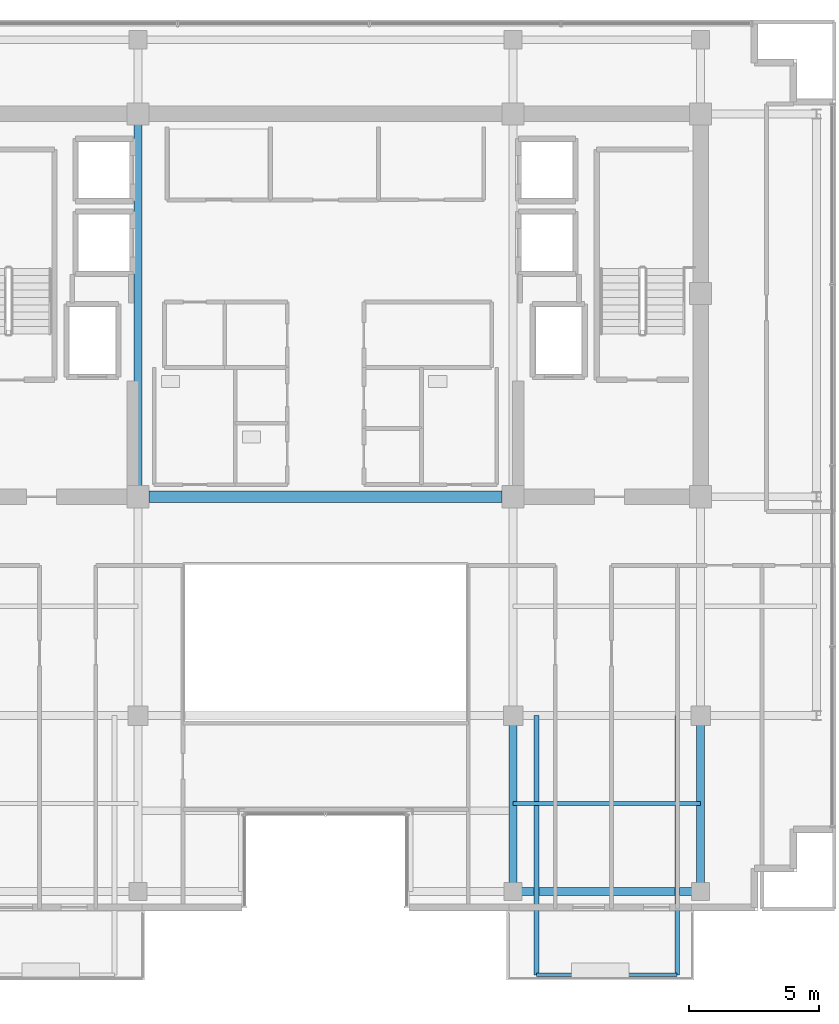
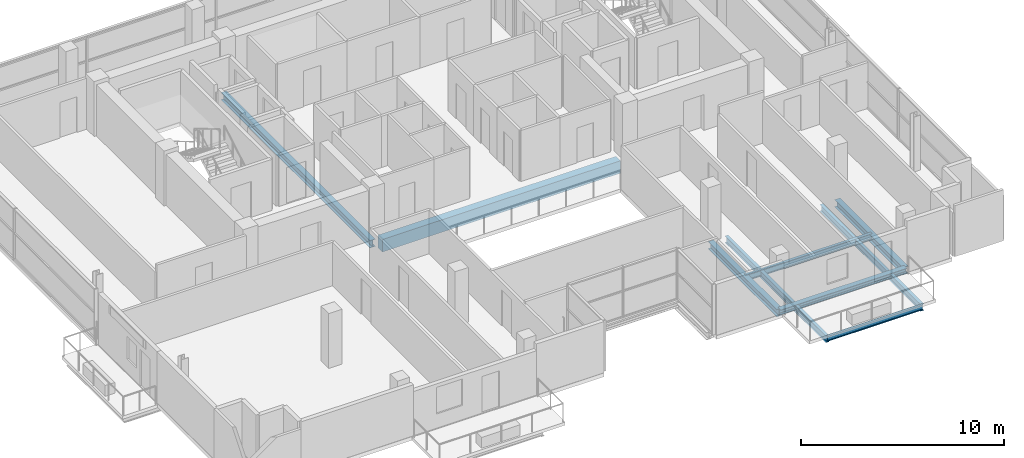
# One storey, part 7 of 22: 9 beams.
"""IFC4 building model written with IfcOpenShell, lengths in metres."""

from ifc_helpers import new_model, si_unit, direction, frame, origin, origin_2d, place, context, subcontext, project, spatial, rectangle, i_section, extrude, material, material_profile, profile_set, type_object, element, save


model = new_model("IFC4")

# Units and contexts
model_context = context("Model", 3, precision=1e-05, world=origin(), true_north=direction((0.0, 1.0)))
body_context = subcontext(model_context, "Body", "Model", "MODEL_VIEW")
ifc_project = project(units=[si_unit("LENGTHUNIT", "METRE"), si_unit("AREAUNIT", "SQUARE_METRE"), si_unit("VOLUMEUNIT", "CUBIC_METRE"), si_unit("PLANEANGLEUNIT", "RADIAN"), si_unit("MASSUNIT", "GRAM", prefix="KILO")], contexts=[model_context])

# Site, building, storey
site_placement = place(None, origin())
site = spatial("IfcSite", under=ifc_project, at=site_placement, CompositionType="ELEMENT")
building_placement = place(site_placement, origin())
building = spatial("IfcBuilding", under=site, at=building_placement, Name="Zarnakvel Exchange Tower", CompositionType="ELEMENT")
storey_placement = place(building_placement, frame((0.0, 0.0, 222.10009765625)))
storey = spatial("IfcBuildingStorey", under=building, at=storey_placement, Name="L62", CompositionType="ELEMENT", Elevation=222.10009765625)

# Beams
ifc_material_1 = material(Name="Steel S355", Category="steel")
ifc_material_profile_1 = material_profile(ifc_material_1, i_section(OverallWidth=0.179931640625, OverallDepth=0.39990234375, WebThickness=0.008544921875, FlangeThickness=0.013427734375, FilletRadius=0.02099609375, at=origin_2d()))
ifc_profile_set_1 = profile_set([ifc_material_profile_1], Name="Steel S355")
beam_type_1 = type_object("IfcBeamType", Name="B-06", PredefinedType="JOIST", material=ifc_profile_set_1)
for number, where, z_axis, x_axis, name in (
    (1, (8.10009765625, -9.60009765625, -0.425048828125), (0.0, -1.0, 0.0), (1.0, 0.0, 0.0), "L62 Continuous Back-Spanned Balcony Beam W"),
    (2, (13.5, -9.60009765625, -0.425048828125), (0.0, -1.0, 0.0), (1.0, 0.0, 0.0), "L62 Continuous Back-Spanned Balcony Beam E"),
):
    element("IfcBeam", number, at=place(storey_placement, frame(where, z_axis=z_axis, x_axis=x_axis)), inside=storey, type_object=beam_type_1, Name=name, PredefinedType="JOIST", context=body_context, shape_type="SweptSolid", body=[
        extrude(i_section(OverallWidth=0.179931640625, OverallDepth=0.39990234375, WebThickness=0.008544921875, FlangeThickness=0.013427734375, FilletRadius=0.02099609375, at=origin_2d()), origin(), (0.0, 0.0, 1.0), 9.949951171875),
    ])
ifc_material_profile_2 = material_profile(ifc_material_1, i_section(OverallWidth=0.169921875, OverallDepth=0.360107421875, WebThickness=0.008056640625, FlangeThickness=0.0126953125, FilletRadius=0.01806640625, at=origin_2d()))
ifc_profile_set_2 = profile_set([ifc_material_profile_2], Name="Steel S355")
beam_type_2 = type_object("IfcBeamType", Name="B-07", PredefinedType="JOIST", material=ifc_profile_set_2)
beam_1_placement = place(storey_placement, frame((7.199951171875, -12.97509765625, -0.405029296875), z_axis=(1.0, 0.0, 0.0), x_axis=(0.0, 1.0, 0.0)))
element("IfcBeam", 3, at=beam_1_placement, inside=storey, type_object=beam_type_2, Name="L62 Composite Floor Secondary Joist", PredefinedType="JOIST", context=body_context, shape_type="SweptSolid", body=[
    extrude(i_section(OverallWidth=0.169921875, OverallDepth=0.360107421875, WebThickness=0.008056640625, FlangeThickness=0.0126953125, FilletRadius=0.01806640625, at=origin_2d()), origin(), (0.0, 0.0, 1.0), 7.199951171875),
])
ifc_material_profile_3 = material_profile(ifc_material_1, i_section(OverallWidth=0.14990234375, OverallDepth=0.300048828125, WebThickness=0.007080078125, FlangeThickness=0.0107421875, FilletRadius=0.014892578125, at=origin_2d()))
ifc_profile_set_3 = profile_set([ifc_material_profile_3], Name="Steel S355")
beam_type_3 = type_object("IfcBeamType", Name="B-08", PredefinedType="JOIST", material=ifc_profile_set_3)
beam_2_placement = place(storey_placement, frame((8.10009765625, -19.550048828125, -0.375), z_axis=(1.0, 0.0, 0.0), x_axis=(0.0, 1.0, 0.0)))
element("IfcBeam", 4, at=beam_2_placement, inside=storey, type_object=beam_type_3, Name="L62 Balcony Edge Beam", PredefinedType="JOIST", context=body_context, shape_type="SweptSolid", body=[
    extrude(i_section(OverallWidth=0.14990234375, OverallDepth=0.300048828125, WebThickness=0.007080078125, FlangeThickness=0.0107421875, FilletRadius=0.014892578125, at=origin_2d()), origin(), (0.0, 0.0, 1.0), 5.39990234375),
])
ifc_material_2 = material(Name="Concrete C50/60", Category="concrete")
ifc_material_profile_4 = material_profile(ifc_material_2, rectangle(XDim=0.449951171875, YDim=0.75, at=origin_2d()))
ifc_profile_set_4 = profile_set([ifc_material_profile_4], Name="Concrete C50/60")
beam_type_4 = type_object("IfcBeamType", Name="CB-03", PredefinedType="LINTEL", material=ifc_profile_set_4)
beam_3_placement = place(storey_placement, frame((-6.77490234375, -1.199951171875, -0.60009765625), z_axis=(1.0, 0.0, 0.0), x_axis=(0.0, 1.0, 0.0)))
element("IfcBeam", 5, at=beam_3_placement, inside=storey, type_object=beam_type_4, Name="L62 Rear Core South Coupling Beam (CB-03)", PredefinedType="LINTEL", context=body_context, shape_type="SweptSolid", body=[
    extrude(rectangle(XDim=0.449951171875, YDim=0.75, at=origin_2d()), origin(), (0.0, 0.0, 1.0), 13.5498046875),
])
ifc_material_profile_5 = material_profile(ifc_material_1, i_section(OverallWidth=0.300048828125, OverallDepth=0.449951171875, WebThickness=0.013916015625, FlangeThickness=0.02587890625, FilletRadius=0.027099609375, at=origin_2d()))
ifc_profile_set_5 = profile_set([ifc_material_profile_5], Name="Steel S355")
beam_type_5 = type_object("IfcBeamType", Name="G-07", PredefinedType="BEAM", material=ifc_profile_set_5)
beam_4_placement = place(storey_placement, frame((-7.199951171875, -1.199951171875, -0.4501953125), z_axis=(0.0, 1.0, 0.0), x_axis=(-1.0, 0.0, 0.0)))
element("IfcBeam", 6, at=beam_4_placement, inside=storey, type_object=beam_type_5, Name="L62 Tower N-S Frame Beam", PredefinedType="BEAM", context=body_context, shape_type="SweptSolid", body=[
    extrude(i_section(OverallWidth=0.300048828125, OverallDepth=0.449951171875, WebThickness=0.013916015625, FlangeThickness=0.02587890625, FilletRadius=0.027099609375, at=origin_2d()), origin(), (0.0, 0.0, 1.0), 14.699951171875),
])
for number, where, z_axis, x_axis, name in (
    (7, (7.199951171875, -16.35009765625, -0.4501953125), (0.0, 1.0, 0.0), (-1.0, 0.0, 0.0), "L62 Tower N-S Frame Beam"),
    (8, (14.39990234375, -16.35009765625, -0.4501953125), (0.0, 1.0, 0.0), (-1.0, 0.0, 0.0), "L62 Tower N-S Frame Beam"),
):
    element("IfcBeam", number, at=place(storey_placement, frame(where, z_axis=z_axis, x_axis=x_axis)), inside=storey, type_object=beam_type_5, Name=name, PredefinedType="BEAM", context=body_context, shape_type="SweptSolid", body=[
        extrude(i_section(OverallWidth=0.300048828125, OverallDepth=0.449951171875, WebThickness=0.013916015625, FlangeThickness=0.02587890625, FilletRadius=0.027099609375, at=origin_2d()), origin(), (0.0, 0.0, 1.0), 6.75),
    ])
ifc_material_profile_6 = material_profile(ifc_material_1, i_section(OverallWidth=0.300048828125, OverallDepth=0.300048828125, WebThickness=0.010986328125, FlangeThickness=0.01904296875, FilletRadius=0.027099609375, at=origin_2d()))
ifc_profile_set_6 = profile_set([ifc_material_profile_6], Name="Steel S355")
beam_type_6 = type_object("IfcBeamType", Name="SP-03", PredefinedType="SPANDREL", material=ifc_profile_set_6)
beam_5_placement = place(storey_placement, frame((7.199951171875, -16.35009765625, -0.375), z_axis=(1.0, 0.0, 0.0), x_axis=(0.0, 1.0, 0.0)))
element("IfcBeam", 9, at=beam_5_placement, inside=storey, type_object=beam_type_6, Name="L62 Tower E-W Frame Beam", PredefinedType="SPANDREL", context=body_context, shape_type="SweptSolid", body=[
    extrude(i_section(OverallWidth=0.300048828125, OverallDepth=0.300048828125, WebThickness=0.010986328125, FlangeThickness=0.01904296875, FilletRadius=0.027099609375, at=origin_2d()), origin(), (0.0, 0.0, 1.0), 7.199951171875),
])

save(model, "model.ifc")
